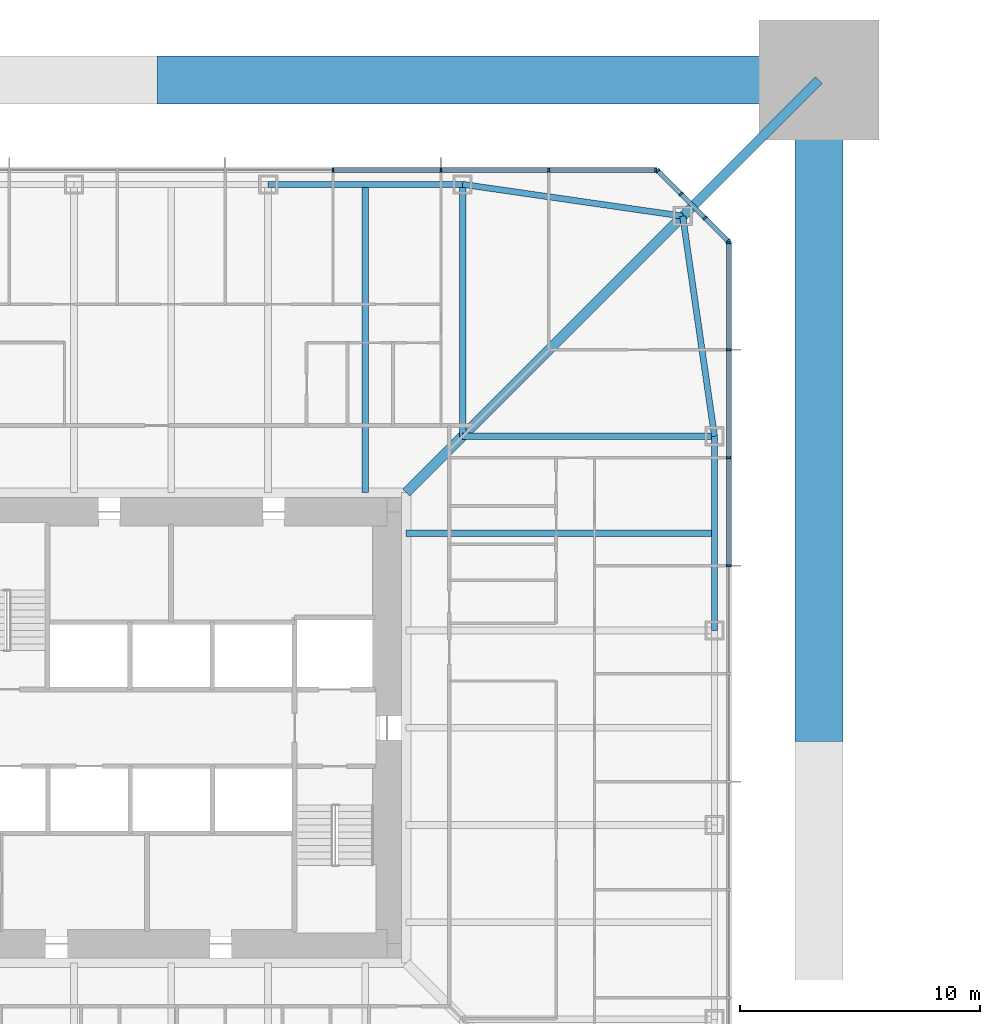
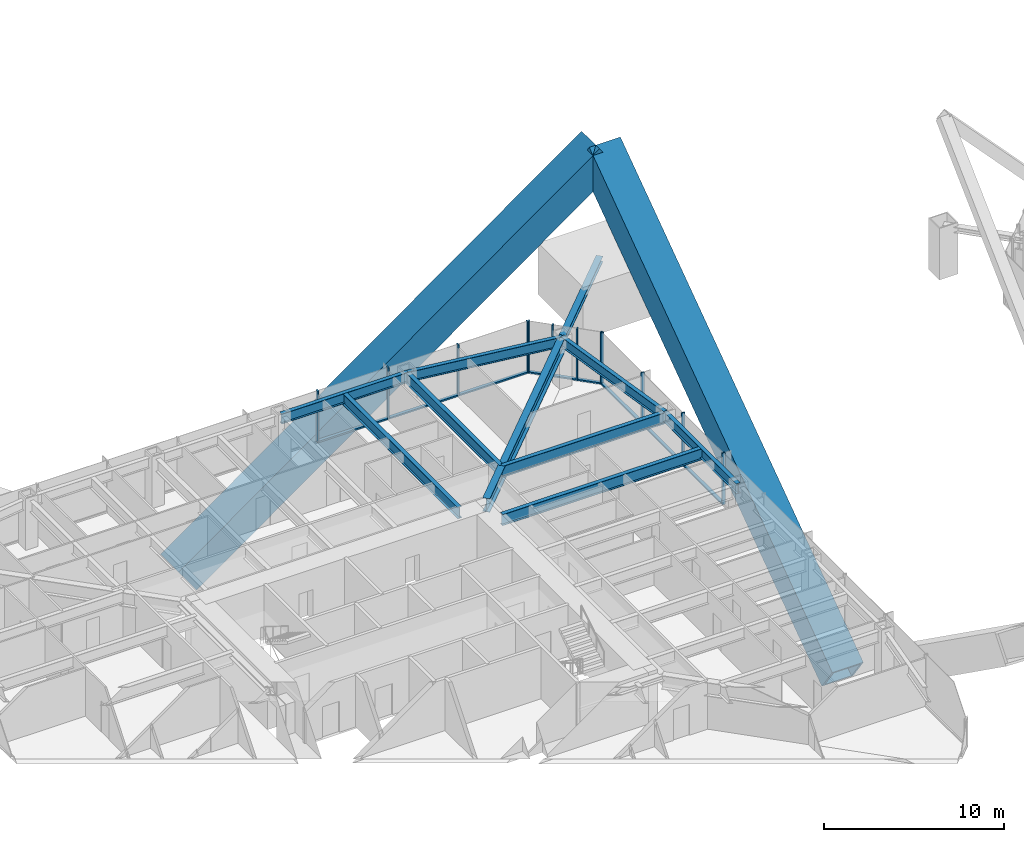
# One storey, part 9 of 28: 24 members, 9 beams, 3 elements without a shape of their own.
"""IFC4 building model written with IfcOpenShell, lengths in metres."""

from ifc_helpers import new_model, si_unit, direction, frame, origin, origin_2d, place, context, subcontext, project, spatial, rectangle, hollow_rectangle, i_section, extrude, material, material_profile, profile_set, type_object, element, aggregate, save


model = new_model("IFC4")

# Units and contexts
model_context = context("Model", 3, precision=1e-05, world=origin(), true_north=direction((0.0, 1.0)))
body_context = subcontext(model_context, "Body", "Model", "MODEL_VIEW")
ifc_project = project(units=[si_unit("LENGTHUNIT", "METRE"), si_unit("AREAUNIT", "SQUARE_METRE"), si_unit("VOLUMEUNIT", "CUBIC_METRE"), si_unit("PLANEANGLEUNIT", "RADIAN"), si_unit("MASSUNIT", "GRAM", prefix="KILO")], contexts=[model_context])

# Site, building, storey
site_placement = place(None, origin())
site = spatial("IfcSite", under=ifc_project, at=site_placement, CompositionType="ELEMENT")
building_placement = place(site_placement, origin())
building = spatial("IfcBuilding", under=site, at=building_placement, Name="Iwan Alto Co-Living Towers", CompositionType="ELEMENT")
storey_placement = place(building_placement, frame((0.0, 0.0, 64.0)))
storey = spatial("IfcBuildingStorey", under=building, at=storey_placement, Name="L17", CompositionType="ELEMENT", Elevation=64.0)

# Curtain wall, members
ifc_material_1 = material(Name="Bronze aluminium unitised frame", Category="aluminium")
curtain_wall_type_1 = type_object("IfcCurtainWallType", Name="CURTAIN WALL CW-A", PredefinedType="NOTDEFINED", material=ifc_material_1)
curtain_wall_1_placement = place(storey_placement, origin())
curtain_wall_1 = element("IfcCurtainWall", 1, at=curtain_wall_1_placement, inside=storey, type_object=curtain_wall_type_1, Name="T1 curtain wall E L17", PredefinedType="NOTDEFINED")
ifc_material_2 = material(Name="Aluminium 6063-T6 bronze anodised", Category="aluminium")
ifc_material_profile_1 = material_profile(ifc_material_2, rectangle(XDim=0.199951171875, YDim=0.080078125, at=origin_2d()), Name="AL 80X200")
ifc_profile_set_1 = profile_set([ifc_material_profile_1], Name="Aluminium 6063-T6 bronze anodised")
member_type_1 = type_object("IfcMemberType", Name="CW-A MULLION 80X200", PredefinedType="MULLION", material=ifc_profile_set_1)
member_1_placement = place(storey_placement, frame((23.25, 6.75, 0.0), z_axis=(0.0, 0.0, 1.0), x_axis=(-1.0, 0.0, 0.0)))
member_1 = element("IfcMember", 2, at=member_1_placement, type_object=member_type_1, Name="CW-A mullion 7", PredefinedType="MULLION", context=body_context, shape_type="SweptSolid", body=[
    extrude(rectangle(XDim=0.199951171875, YDim=0.080078125, at=origin_2d()), origin(), (0.0, 0.0, 1.0), 3.5),
])
member_2_placement = place(storey_placement, frame((23.25, 11.25, 0.0), z_axis=(0.0, 0.0, 1.0), x_axis=(-1.0, 0.0, 0.0)))
member_2 = element("IfcMember", 3, at=member_2_placement, type_object=member_type_1, Name="CW-A mullion 8", PredefinedType="MULLION", context=body_context, shape_type="SweptSolid", body=[
    extrude(rectangle(XDim=0.199951171875, YDim=0.080078125, at=origin_2d()), origin(), (0.0, 0.0, 1.0), 3.5),
])
member_3_placement = place(storey_placement, frame((23.25, 15.75, 0.0), z_axis=(0.0, 0.0, 1.0), x_axis=(-1.0, 0.0, 0.0)))
member_3 = element("IfcMember", 4, at=member_3_placement, type_object=member_type_1, Name="CW-A mullion 9", PredefinedType="MULLION", context=body_context, shape_type="SweptSolid", body=[
    extrude(rectangle(XDim=0.199951171875, YDim=0.080078125, at=origin_2d()), origin(), (0.0, 0.0, 1.0), 3.5),
])
member_4_placement = place(storey_placement, frame((23.25, 20.2099609375, 0.0), z_axis=(0.0, 0.0, 1.0), x_axis=(-1.0, 0.0, 0.0)))
member_4 = element("IfcMember", 5, at=member_4_placement, type_object=member_type_1, Name="CW-A mullion 10", PredefinedType="MULLION", context=body_context, shape_type="SweptSolid", body=[
    extrude(rectangle(XDim=0.199951171875, YDim=0.080078125, at=origin_2d()), origin(), (0.0, 0.0, 1.0), 3.5),
])

curtain_wall_2_placement = place(storey_placement, origin())
curtain_wall_2 = element("IfcCurtainWall", 6, at=curtain_wall_2_placement, inside=storey, type_object=curtain_wall_type_1, Name="T1 curtain wall N L17", PredefinedType="NOTDEFINED")
member_5_placement = place(storey_placement, frame((20.2099609375, 23.25, 0.0), z_axis=(0.0, 0.0, 1.0), x_axis=(0.0, -1.0, 0.0)))
member_5 = element("IfcMember", 7, at=member_5_placement, type_object=member_type_1, Name="CW-A mullion 1", PredefinedType="MULLION", context=body_context, shape_type="SweptSolid", body=[
    extrude(rectangle(XDim=0.199951171875, YDim=0.080078125, at=origin_2d()), origin(), (0.0, 0.0, 1.0), 3.5),
])
member_6_placement = place(storey_placement, frame((15.75, 23.25, 0.0), z_axis=(0.0, 0.0, 1.0), x_axis=(0.0, -1.0, 0.0)))
member_6 = element("IfcMember", 8, at=member_6_placement, type_object=member_type_1, Name="CW-A mullion 2", PredefinedType="MULLION", context=body_context, shape_type="SweptSolid", body=[
    extrude(rectangle(XDim=0.199951171875, YDim=0.080078125, at=origin_2d()), origin(), (0.0, 0.0, 1.0), 3.5),
])
member_7_placement = place(storey_placement, frame((11.25, 23.25, 0.0), z_axis=(0.0, 0.0, 1.0), x_axis=(0.0, -1.0, 0.0)))
member_7 = element("IfcMember", 9, at=member_7_placement, type_object=member_type_1, Name="CW-A mullion 3", PredefinedType="MULLION", context=body_context, shape_type="SweptSolid", body=[
    extrude(rectangle(XDim=0.199951171875, YDim=0.080078125, at=origin_2d()), origin(), (0.0, 0.0, 1.0), 3.5),
])
member_8_placement = place(storey_placement, frame((6.75, 23.25, 0.0), z_axis=(0.0, 0.0, 1.0), x_axis=(0.0, -1.0, 0.0)))
member_8 = element("IfcMember", 10, at=member_8_placement, type_object=member_type_1, Name="CW-A mullion 4", PredefinedType="MULLION", context=body_context, shape_type="SweptSolid", body=[
    extrude(rectangle(XDim=0.199951171875, YDim=0.080078125, at=origin_2d()), origin(), (0.0, 0.0, 1.0), 3.5),
])

# Member
ifc_material_3 = material(Name="Aluminium 6063-T6 bronze anodised", Category="aluminium")
ifc_material_profile_2 = material_profile(ifc_material_3, rectangle(XDim=0.199951171875, YDim=0.10009765625, at=origin_2d()), Name="AL 200X100")
ifc_profile_set_2 = profile_set([ifc_material_profile_2], Name="Aluminium 6063-T6 bronze anodised")
member_type_2 = type_object("IfcMemberType", Name="CW-A TRANSOM 200X100", PredefinedType="USERDEFINED", material=ifc_profile_set_2)
member_9_placement = place(storey_placement, frame((23.25, 6.7900390625, 0.050048828125), z_axis=(0.0, 1.0, 0.0), x_axis=(-1.0, 0.0, 0.0)))
member_9 = element("IfcMember", 11, at=member_9_placement, type_object=member_type_2, Name="CW-A transom 7.1", ObjectType="TRANSOM", PredefinedType="USERDEFINED", context=body_context, shape_type="SweptSolid", body=[
    extrude(rectangle(XDim=0.199951171875, YDim=0.10009765625, at=origin_2d()), origin(), (0.0, 0.0, 1.0), 4.419921875),
])

member_10_placement = place(storey_placement, frame((23.25, 11.2900390625, 0.050048828125), z_axis=(0.0, 1.0, 0.0), x_axis=(-1.0, 0.0, 0.0)))
member_10 = element("IfcMember", 12, at=member_10_placement, type_object=member_type_2, Name="CW-A transom 8.1", ObjectType="TRANSOM", PredefinedType="USERDEFINED", context=body_context, shape_type="SweptSolid", body=[
    extrude(rectangle(XDim=0.199951171875, YDim=0.10009765625, at=origin_2d()), origin(), (0.0, 0.0, 1.0), 4.419921875),
])

member_11_placement = place(storey_placement, frame((23.25, 15.7900390625, 0.050048828125), z_axis=(0.0, 1.0, 0.0), x_axis=(-1.0, 0.0, 0.0)))
member_11 = element("IfcMember", 13, at=member_11_placement, type_object=member_type_2, Name="CW-A transom 9.1", ObjectType="TRANSOM", PredefinedType="USERDEFINED", context=body_context, shape_type="SweptSolid", body=[
    extrude(rectangle(XDim=0.199951171875, YDim=0.10009765625, at=origin_2d()), origin(), (0.0, 0.0, 1.0), 4.3798828125),
])

aggregate(curtain_wall_1, [member_1, member_2, member_3, member_4, member_9, member_10, member_11])

member_12_placement = place(storey_placement, frame((20.169921875, 23.25, 0.050048828125), z_axis=(-1.0, 0.0, 0.0), x_axis=(0.0, -1.0, 0.0)))
member_12 = element("IfcMember", 14, at=member_12_placement, type_object=member_type_2, Name="CW-A transom 1.1", ObjectType="TRANSOM", PredefinedType="USERDEFINED", context=body_context, shape_type="SweptSolid", body=[
    extrude(rectangle(XDim=0.199951171875, YDim=0.10009765625, at=origin_2d()), origin(), (0.0, 0.0, 1.0), 4.3798828125),
])

member_13_placement = place(storey_placement, frame((15.7099609375, 23.25, 0.050048828125), z_axis=(-1.0, 0.0, 0.0), x_axis=(0.0, -1.0, 0.0)))
member_13 = element("IfcMember", 15, at=member_13_placement, type_object=member_type_2, Name="CW-A transom 2.1", ObjectType="TRANSOM", PredefinedType="USERDEFINED", context=body_context, shape_type="SweptSolid", body=[
    extrude(rectangle(XDim=0.199951171875, YDim=0.10009765625, at=origin_2d()), origin(), (0.0, 0.0, 1.0), 4.419921875),
])

member_14_placement = place(storey_placement, frame((11.2099609375, 23.25, 0.050048828125), z_axis=(-1.0, 0.0, 0.0), x_axis=(0.0, -1.0, 0.0)))
member_14 = element("IfcMember", 16, at=member_14_placement, type_object=member_type_2, Name="CW-A transom 3.1", ObjectType="TRANSOM", PredefinedType="USERDEFINED", context=body_context, shape_type="SweptSolid", body=[
    extrude(rectangle(XDim=0.199951171875, YDim=0.10009765625, at=origin_2d()), origin(), (0.0, 0.0, 1.0), 4.419921875),
])

aggregate(curtain_wall_2, [member_5, member_6, member_7, member_8, member_12, member_13, member_14])

# Curtain wall, members
ifc_material_4 = material(Name="Bronze aluminium unitised frame", Category="aluminium")
curtain_wall_type_2 = type_object("IfcCurtainWallType", Name="CURTAIN WALL CW-B", PredefinedType="NOTDEFINED", material=ifc_material_4)
curtain_wall_3_placement = place(storey_placement, origin())
curtain_wall_3 = element("IfcCurtainWall", 17, at=curtain_wall_3_placement, inside=storey, type_object=curtain_wall_type_2, Name="T1 chamfer curtain wall NE L17", PredefinedType="NOTDEFINED")
ifc_material_5 = material(Name="Aluminium 6063-T6 bronze anodised", Category="aluminium")
ifc_material_profile_3 = material_profile(ifc_material_5, rectangle(XDim=0.199951171875, YDim=0.080078125, at=origin_2d()), Name="AL 80X200")
ifc_profile_set_3 = profile_set([ifc_material_profile_3], Name="Aluminium 6063-T6 bronze anodised")
member_type_3 = type_object("IfcMemberType", Name="CW-B MULLION 80X200", PredefinedType="MULLION", material=ifc_profile_set_3)
member_15_placement = place(storey_placement, frame((23.2216796875, 20.2783203125, 0.0), z_axis=(0.0, 0.0, 1.0), x_axis=(-0.707106781187, -0.707106781187, 0.0)))
member_15 = element("IfcMember", 18, at=member_15_placement, type_object=member_type_3, Name="CW-B mullion 1", PredefinedType="MULLION", context=body_context, shape_type="SweptSolid", body=[
    extrude(rectangle(XDim=0.199951171875, YDim=0.080078125, at=origin_2d()), origin(), (0.0, 0.0, 1.0), 3.5),
])
member_16_placement = place(storey_placement, frame((22.25, 21.25, 0.0), z_axis=(0.0, 0.0, 1.0), x_axis=(-0.707106781187, -0.707106781187, 0.0)))
member_16 = element("IfcMember", 19, at=member_16_placement, type_object=member_type_3, Name="CW-B mullion 2", PredefinedType="MULLION", context=body_context, shape_type="SweptSolid", body=[
    extrude(rectangle(XDim=0.199951171875, YDim=0.080078125, at=origin_2d()), origin(), (0.0, 0.0, 1.0), 3.5),
])
member_17_placement = place(storey_placement, frame((21.25, 22.25, 0.0), z_axis=(0.0, 0.0, 1.0), x_axis=(-0.707106781187, -0.707106781187, 0.0)))
member_17 = element("IfcMember", 20, at=member_17_placement, type_object=member_type_3, Name="CW-B mullion 3", PredefinedType="MULLION", context=body_context, shape_type="SweptSolid", body=[
    extrude(rectangle(XDim=0.199951171875, YDim=0.080078125, at=origin_2d()), origin(), (0.0, 0.0, 1.0), 3.5),
])
member_18_placement = place(storey_placement, frame((20.2783203125, 23.2216796875, 0.0), z_axis=(0.0, 0.0, 1.0), x_axis=(-0.707106781187, -0.707106781187, 0.0)))
member_18 = element("IfcMember", 21, at=member_18_placement, type_object=member_type_3, Name="CW-B mullion 4", PredefinedType="MULLION", context=body_context, shape_type="SweptSolid", body=[
    extrude(rectangle(XDim=0.199951171875, YDim=0.080078125, at=origin_2d()), origin(), (0.0, 0.0, 1.0), 3.5),
])
ifc_material_6 = material(Name="Aluminium 6063-T6 bronze anodised", Category="aluminium")
ifc_material_profile_4 = material_profile(ifc_material_6, rectangle(XDim=0.199951171875, YDim=0.10009765625, at=origin_2d()), Name="AL 200X100")
ifc_profile_set_4 = profile_set([ifc_material_profile_4], Name="Aluminium 6063-T6 bronze anodised")
member_type_4 = type_object("IfcMemberType", Name="CW-B TRANSOM 200X100", PredefinedType="USERDEFINED", material=ifc_profile_set_4)
member_19_placement = place(storey_placement, frame((23.193359375, 20.306640625, 0.050048828125), z_axis=(-0.707106781187, 0.707106781187, 0.0), x_axis=(-0.707106781187, -0.707106781187, 0.0)))
member_19 = element("IfcMember", 22, at=member_19_placement, type_object=member_type_4, Name="CW-B transom 1.1", ObjectType="TRANSOM", PredefinedType="USERDEFINED", context=body_context, shape_type="SweptSolid", body=[
    extrude(rectangle(XDim=0.199951171875, YDim=0.10009765625, at=origin_2d()), origin(), (0.0, 0.0, 1.0), 1.2939453125),
])
member_20_placement = place(storey_placement, frame((22.2216796875, 21.2783203125, 0.050048828125), z_axis=(-0.707106781187, 0.707106781187, 0.0), x_axis=(-0.707106781187, -0.707106781187, 0.0)))
member_20 = element("IfcMember", 23, at=member_20_placement, type_object=member_type_4, Name="CW-B transom 2.1", ObjectType="TRANSOM", PredefinedType="USERDEFINED", context=body_context, shape_type="SweptSolid", body=[
    extrude(rectangle(XDim=0.199951171875, YDim=0.10009765625, at=origin_2d()), origin(), (0.0, 0.0, 1.0), 1.334228515625),
])
member_21_placement = place(storey_placement, frame((21.2216796875, 22.2783203125, 0.050048828125), z_axis=(-0.707106781187, 0.707106781187, 0.0), x_axis=(-0.707106781187, -0.707106781187, 0.0)))
member_21 = element("IfcMember", 24, at=member_21_placement, type_object=member_type_4, Name="CW-B transom 3.1", ObjectType="TRANSOM", PredefinedType="USERDEFINED", context=body_context, shape_type="SweptSolid", body=[
    extrude(rectangle(XDim=0.199951171875, YDim=0.10009765625, at=origin_2d()), origin(), (0.0, 0.0, 1.0), 1.2939453125),
])
aggregate(curtain_wall_3, [member_15, member_16, member_17, member_18, member_19, member_20, member_21])

# Beams
ifc_material_7 = material(Name="Steel ASTM A992 Gr 50", Category="steel")
ifc_material_profile_5 = material_profile(ifc_material_7, i_section(OverallWidth=0.419189453125, OverallDepth=0.927001953125, WebThickness=0.019287109375, FlangeThickness=0.031982421875, at=origin_2d()), Name="W36X231")
ifc_profile_set_5 = profile_set([ifc_material_profile_5], Name="Steel ASTM A992 Gr 50")
beam_type_1 = type_object("IfcBeamType", Name="T1 CORNER GIRDER W36X231", PredefinedType="BEAM", material=ifc_profile_set_5)
beam_1_placement = place(storey_placement, frame((21.32568359375, 21.32568359375, 2.806396484375), z_axis=(-0.707106781187, -0.707106781187, 0.0), x_axis=(0.707106781187, -0.707106781187, 0.0)))
element("IfcBeam", 25, at=beam_1_placement, inside=storey, type_object=beam_type_1, Name="T1 corner girder CNE L18", PredefinedType="BEAM", context=body_context, shape_type="SweptSolid", body=[
    extrude(i_section(OverallWidth=0.419189453125, OverallDepth=0.927001953125, WebThickness=0.019287109375, FlangeThickness=0.031982421875, at=origin_2d()), origin(), (0.0, 0.0, 1.0), 16.30078125),
])
ifc_material_8 = material(Name="Steel ASTM A992 Gr 50", Category="steel")
ifc_material_profile_6 = material_profile(ifc_material_8, i_section(OverallWidth=0.25390625, OverallDepth=0.683349609375, WebThickness=0.012451171875, FlangeThickness=0.018798828125, at=origin_2d()), Name="W27X94")
ifc_profile_set_6 = profile_set([ifc_material_profile_6], Name="Steel ASTM A992 Gr 50")
beam_type_2 = type_object("IfcBeamType", Name="T1 EDGE BEAM W27X94", PredefinedType="BEAM", material=ifc_profile_set_6)
beam_2_placement = place(storey_placement, frame((22.64990234375, 4.050048828125, 2.928466796875), z_axis=(0.0, 1.0, 0.0), x_axis=(-1.0, 0.0, 0.0)))
element("IfcBeam", 26, at=beam_2_placement, inside=storey, type_object=beam_type_2, Name="T1 edge beam E3 L18", PredefinedType="BEAM", context=body_context, shape_type="SweptSolid", body=[
    extrude(i_section(OverallWidth=0.25390625, OverallDepth=0.683349609375, WebThickness=0.012451171875, FlangeThickness=0.018798828125, at=origin_2d()), origin(), (0.0, 0.0, 1.0), 8.099853515625),
])
for number, where, z_axis, x_axis, name in (
    (27, (22.64990234375, 12.14990234375, 2.928466796875), (-0.142836940589, 0.989746234347, 0.0), (-0.989746234347, -0.142836940589, 0.0), "T1 edge beam E4 L18"),
    (28, (21.32568359375, 21.32568359375, 2.928466796875), (-0.989746234347, 0.142836940589, 0.0), (-0.142836940589, -0.989746234347, 0.0), "T1 edge beam CNE L18"),
):
    element("IfcBeam", number, at=place(storey_placement, frame(where, z_axis=z_axis, x_axis=x_axis)), inside=storey, type_object=beam_type_2, Name=name, PredefinedType="BEAM", context=body_context, shape_type="SweptSolid", body=[
        extrude(i_section(OverallWidth=0.25390625, OverallDepth=0.683349609375, WebThickness=0.012451171875, FlangeThickness=0.018798828125, at=origin_2d()), origin(), (0.0, 0.0, 1.0), 9.270751953125),
    ])
beam_3_placement = place(storey_placement, frame((12.14990234375, 22.64990234375, 2.928466796875), z_axis=(-1.0, 0.0, 0.0), x_axis=(0.0, -1.0, 0.0)))
element("IfcBeam", 29, at=beam_3_placement, inside=storey, type_object=beam_type_2, Name="T1 edge beam N1 L18", PredefinedType="BEAM", context=body_context, shape_type="SweptSolid", body=[
    extrude(i_section(OverallWidth=0.25390625, OverallDepth=0.683349609375, WebThickness=0.012451171875, FlangeThickness=0.018798828125, at=origin_2d()), origin(), (0.0, 0.0, 1.0), 8.099853515625),
])

# Members
ifc_material_9 = material(Name="Steel ASTM A572 Gr 42", Category="steel")
ifc_material_profile_7 = material_profile(ifc_material_9, hollow_rectangle(XDim=2.0, YDim=2.0, WallThickness=0.139892578125, at=origin_2d()), Name="BOX 2000X2000X140")
ifc_profile_set_7 = profile_set([ifc_material_profile_7], Name="Steel ASTM A572 Gr 42")
member_type_5 = type_object("IfcMemberType", Name="T1 MEGA BRACE BOX 2000X2000X140", PredefinedType="BRACE", material=ifc_profile_set_7)
for number, where, z_axis, x_axis, name in (
    (30, (27.0, 0.0, -8.75), (0.0, 0.814242569702, 0.580524795065), (-1.0, 0.0, 0.0), "T1 mega brace Z1B E 1 upper"),
    (31, (0.0, 27.0, -8.75), (0.814242569702, 0.0, 0.580524795065), (0.0, 1.0, 0.0), "T1 mega brace Z1B N 2 upper"),
):
    element("IfcMember", number, at=place(storey_placement, frame(where, z_axis=z_axis, x_axis=x_axis)), inside=storey, type_object=member_type_5, Name=name, PredefinedType="BRACE", context=body_context, shape_type="SweptSolid", body=[
        extrude(hollow_rectangle(XDim=2.0, YDim=2.0, WallThickness=0.139892578125, at=origin_2d()), origin(), (0.0, 0.0, 1.0), 33.15966796875),
    ])
ifc_material_10 = material(Name="Steel ASTM A992 Gr 50", Category="steel")
ifc_material_profile_8 = material_profile(ifc_material_10, i_section(OverallWidth=0.393798828125, OverallDepth=0.3759765625, WebThickness=0.017333984375, FlangeThickness=0.027587890625, at=origin_2d()), Name="W14X145")
ifc_profile_set_8 = profile_set([ifc_material_profile_8], Name="Steel ASTM A992 Gr 50")
member_type_6 = type_object("IfcMemberType", Name="T1 MEGA COLUMN FLOOR TIE W14X145", PredefinedType="STRUT", material=ifc_profile_set_8)
member_22_placement = place(storey_placement, frame((27.0, 27.0, 3.08203125), z_axis=(-0.707106781187, -0.707106781187, 0.0), x_axis=(0.707106781187, -0.707106781187, 0.0)))
element("IfcMember", 32, at=member_22_placement, inside=storey, type_object=member_type_6, Name="T1 mega column floor tie NE L18", PredefinedType="STRUT", context=body_context, shape_type="SweptSolid", body=[
    extrude(i_section(OverallWidth=0.393798828125, OverallDepth=0.3759765625, WebThickness=0.017333984375, FlangeThickness=0.027587890625, at=origin_2d()), origin(), (0.0, 0.0, 1.0), 8.024658203125),
])

# Beams
ifc_material_11 = material(Name="Steel ASTM A992 Gr 50", Category="steel")
ifc_material_profile_9 = material_profile(ifc_material_11, i_section(OverallWidth=0.2666015625, OverallDepth=0.761962890625, WebThickness=0.014404296875, FlangeThickness=0.021484375, at=origin_2d()), Name="W30X116")
ifc_profile_set_9 = profile_set([ifc_material_profile_9], Name="Steel ASTM A992 Gr 50")
beam_type_3 = type_object("IfcBeamType", Name="T1 RADIAL BEAM W30X116", PredefinedType="BEAM", material=ifc_profile_set_9)
for number, where, z_axis, x_axis, name in (
    (33, (22.64990234375, 12.14990234375, 2.888916015625), (-1.0, 0.0, 0.0), (0.0, -1.0, 0.0), "T1 radial beam E4 L18"),
    (34, (12.14990234375, 22.64990234375, 2.888916015625), (0.0, -1.0, 0.0), (1.0, 0.0, 0.0), "T1 radial beam N1 L18"),
):
    element("IfcBeam", number, at=place(storey_placement, frame(where, z_axis=z_axis, x_axis=x_axis)), inside=storey, type_object=beam_type_3, Name=name, PredefinedType="BEAM", context=body_context, shape_type="SweptSolid", body=[
        extrude(i_section(OverallWidth=0.2666015625, OverallDepth=0.761962890625, WebThickness=0.014404296875, FlangeThickness=0.021484375, at=origin_2d()), origin(), (0.0, 0.0, 1.0), 10.5),
    ])
ifc_material_12 = material(Name="Steel ASTM A992 Gr 50", Category="steel")
ifc_material_profile_10 = material_profile(ifc_material_12, i_section(OverallWidth=0.2666015625, OverallDepth=0.761962890625, WebThickness=0.014404296875, FlangeThickness=0.021484375, at=origin_2d()), Name="W30X116")
ifc_profile_set_10 = profile_set([ifc_material_profile_10], Name="Steel ASTM A992 Gr 50")
beam_type_4 = type_object("IfcBeamType", Name="T1 SECONDARY BEAM W30X116", PredefinedType="JOIST", material=ifc_profile_set_10)
for number, where, z_axis, x_axis, name in (
    (35, (22.64990234375, 8.10009765625, 2.888916015625), (-1.0, 0.0, 0.0), (0.0, -1.0, 0.0), "T1 secondary beam E3 L18"),
    (36, (8.10009765625, 22.64990234375, 2.888916015625), (0.0, -1.0, 0.0), (1.0, 0.0, 0.0), "T1 secondary beam N1 L18"),
):
    element("IfcBeam", number, at=place(storey_placement, frame(where, z_axis=z_axis, x_axis=x_axis)), inside=storey, type_object=beam_type_4, Name=name, PredefinedType="JOIST", context=body_context, shape_type="SweptSolid", body=[
        extrude(i_section(OverallWidth=0.2666015625, OverallDepth=0.761962890625, WebThickness=0.014404296875, FlangeThickness=0.021484375, at=origin_2d()), origin(), (0.0, 0.0, 1.0), 12.8505859375),
    ])

save(model, "model.ifc")
